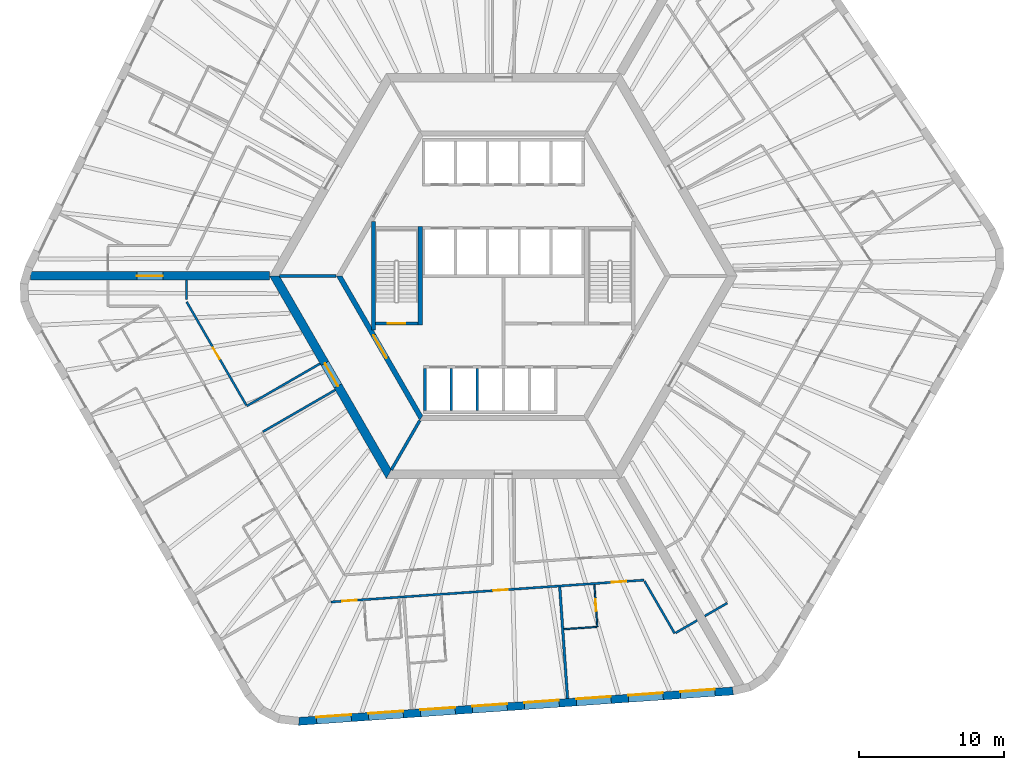
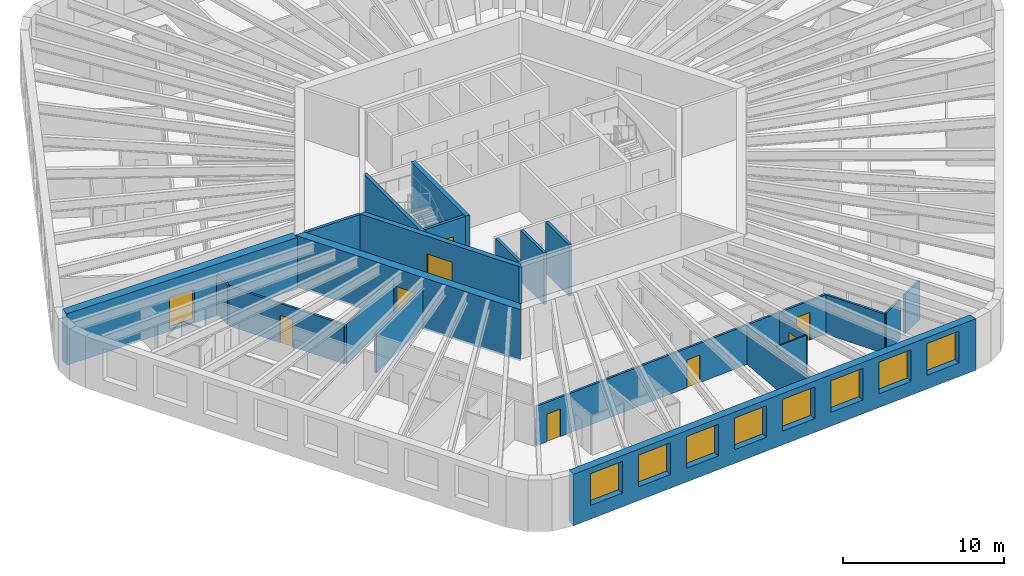
# One storey, part 4 of 12: 23 walls, 9 doors, 8 windows, 17 openings.
"""IFC4 building model written with IfcOpenShell, lengths in metres."""

from ifc_helpers import new_model, si_unit, direction, frame, frame_2d, origin, place, context, subcontext, project, spatial, polyline, rectangle, outline, extrude, material, layer, layer_set, type_object, element, fill, save


model = new_model("IFC4")

# Units and contexts
model_context = context("Model", 3, precision=1e-05, world=origin(), true_north=direction((0.0, 1.0)))
body_context = subcontext(model_context, "Body", "Model", "MODEL_VIEW")
ifc_project = project(units=[si_unit("LENGTHUNIT", "METRE"), si_unit("AREAUNIT", "SQUARE_METRE"), si_unit("VOLUMEUNIT", "CUBIC_METRE"), si_unit("PLANEANGLEUNIT", "RADIAN"), si_unit("MASSUNIT", "GRAM", prefix="KILO")], contexts=[model_context])

# Site, building, storey
site_placement = place(None, origin())
site = spatial("IfcSite", under=ifc_project, at=site_placement, CompositionType="ELEMENT")
building_placement = place(site_placement, origin())
building = spatial("IfcBuilding", under=site, at=building_placement, Name="Tarnside Tower", CompositionType="ELEMENT")
storey_placement = place(building_placement, frame((0.0, 0.0, 84.300048828125)))
storey = spatial("IfcBuildingStorey", under=building, at=storey_placement, Name="L18", CompositionType="ELEMENT", Elevation=84.300048828125)

# Wall, opening, door
ifc_material_1 = material(Name="Gypsum board partition on steel studs", Category="steel")
ifc_layer_1 = layer(ifc_material_1, 0.10009765625)
ifc_layer_set_1 = layer_set([ifc_layer_1], Name="Bathroom wall 100")
wall_type_1 = type_object("IfcWallType", Name="Bathroom wall 100", PredefinedType="PARTITIONING", material=ifc_layer_set_1)
wall_1_placement = place(storey_placement, frame((6.292724609375, -21.338134765625, 0.0), z_axis=(0.0, 0.0, 1.0), x_axis=(0.069781781132, -0.997562280272, 0.0)))
wall_1 = element("IfcWall", 1, at=wall_1_placement, inside=storey, type_object=wall_type_1, Name="Bathroom wall 05135", PredefinedType="PARTITIONING", context=body_context, shape_type="SweptSolid", body=[
    extrude(rectangle(XDim=2.9248046875, YDim=0.10009765625, at=frame_2d((1.46240234375, 0.0))), origin(), (0.0, 0.0, 1.0), 2.98779296875),
])
opening_1_placement = place(wall_1_placement, frame((1.02490234375, 0.0, 0.0)))
opening_1 = element("IfcOpeningElement", 2, at=opening_1_placement, cuts=wall_1, Name="Opening D-B1", PredefinedType="OPENING", context=body_context, shape_type="SweptSolid", body=[
    extrude(rectangle(XDim=0.800048828125, YDim=2.10009765625, at=frame_2d((0.39990234375, 1.050048828125))), frame((0.0, 0.06005859375, 0.0), z_axis=(0.0, -1.0, 0.0), x_axis=(1.0, 0.0, 0.0)), (0.0, 0.0, 1.0), 0.1201171875),
])
ifc_material_2 = material(Name="Timber door leaf", Category="wood")
door_type_1 = type_object("IfcDoorType", Name="Bathroom door 800", OperationType="NOTDEFINED", PredefinedType="DOOR", material=ifc_material_2)
door_1_placement = place(opening_1_placement, origin())
door_1 = element("IfcDoor", 3, at=door_1_placement, inside=storey, type_object=door_type_1, Name="Bathroom door 05029", OperationType="SINGLE_SWING_RIGHT", OverallHeight=2.10009765625, OverallWidth=0.800048828125, PredefinedType="DOOR", context=body_context, shape_type="SweptSolid", body=[
    extrude(rectangle(XDim=0.800048828125, YDim=2.10009765625, at=frame_2d((0.39990234375, 1.050048828125))), frame((0.0, 0.02490234375, 0.0), z_axis=(0.0, -1.0, 0.0), x_axis=(1.0, 0.0, 0.0)), (0.0, 0.0, 1.0), 0.050048828125),
])
fill(opening_1, door_1)

# Wall
wall_2_placement = place(storey_placement, frame((6.44677734375, -24.25927734375, 0.0), z_axis=(0.0, 0.0, 1.0), x_axis=(-0.997561825928, -0.069788275888, 0.0)))
element("IfcWall", 4, at=wall_2_placement, inside=storey, type_object=wall_type_1, Name="Bathroom wall 05136", PredefinedType="PARTITIONING", context=body_context, shape_type="SweptSolid", body=[
    extrude(rectangle(XDim=2.260009765625, YDim=0.10009765625, at=frame_2d((1.1298828125, 0.0))), origin(), (0.0, 0.0, 1.0), 2.98779296875),
])

# Wall, opening, door
ifc_material_3 = material(Name="Concrete C50/60", Category="concrete")
ifc_layer_2 = layer(ifc_material_3, 0.35009765625)
ifc_layer_set_2 = layer_set([ifc_layer_2], Name="Core block wall 350 C50/60")
wall_type_2 = type_object("IfcWallType", Name="Core block wall 350 C50/60", PredefinedType="SHEAR", material=ifc_layer_set_2)
wall_3_placement = place(storey_placement, frame((-11.344970703125, 0.0, -0.150146484375), z_axis=(0.0, 0.0, 1.0), x_axis=(0.499995046907, -0.866028263435, 0.0)))
wall_3 = element("IfcWall", 5, at=wall_3_placement, inside=storey, type_object=wall_type_2, Name="L18 core block wall face 3", PredefinedType="SHEAR", context=body_context, shape_type="SweptSolid", body=[
    extrude(outline(polyline([(-0.10107421875, -0.175048828125), (11.44580078125, -0.175048828125), (11.24365234375, 0.175048828125), (0.10107421875, 0.175048828125), (-0.10107421875, -0.175048828125)])), origin(), (0.0, 0.0, 1.0), 3.900146484375),
])
opening_2_placement = place(wall_3_placement, frame((4.74365234375, 0.0, 0.14990234375)))
opening_2 = element("IfcOpeningElement", 6, at=opening_2_placement, cuts=wall_3, Name="Opening CD-FFL", PredefinedType="OPENING", context=body_context, shape_type="SweptSolid", body=[
    extrude(rectangle(XDim=1.800048828125, YDim=2.39990234375, at=frame_2d((0.89990234375, 1.199951171875))), frame((0.0, 0.18505859375, 0.0), z_axis=(0.0, -1.0, 0.0), x_axis=(1.0, 0.0, 0.0)), (0.0, 0.0, 1.0), 0.3701171875),
])
ifc_material_4 = material(Name="Steel fire door", Category="steel")
door_type_2 = type_object("IfcDoorType", Name="Firefighting lobby double door FD60S 1800x2400", OperationType="NOTDEFINED", PredefinedType="DOOR", material=ifc_material_4)
door_2_placement = place(opening_2_placement, origin())
door_2 = element("IfcDoor", 7, at=door_2_placement, inside=storey, type_object=door_type_2, Name="L18 lobby block door P3", OperationType="DOUBLE_DOOR_SINGLE_SWING", OverallHeight=2.39990234375, OverallWidth=1.800048828125, PredefinedType="DOOR", context=body_context, shape_type="SweptSolid", body=[
    extrude(rectangle(XDim=1.800048828125, YDim=2.39990234375, at=frame_2d((0.89990234375, 1.199951171875))), frame((0.0, 0.02490234375, 0.0), z_axis=(0.0, -1.0, 0.0), x_axis=(1.0, 0.0, 0.0)), (0.0, 0.0, 1.0), 0.050048828125),
])
fill(opening_2, door_2)

ifc_material_5 = material(Name="Concrete C80/95", Category="concrete")
ifc_layer_3 = layer(ifc_material_5, 0.60009765625)
ifc_layer_set_3 = layer_set([ifc_layer_3], Name="Core wall Z1 600 C80/95")
wall_type_3 = type_object("IfcWallType", Name="Core wall Z1 600 C80/95", PredefinedType="SHEAR", material=ifc_layer_set_3)
wall_4_placement = place(storey_placement, frame((-15.8193359375, 0.0, -0.150146484375), z_axis=(0.0, 0.0, 1.0), x_axis=(0.499999880136, -0.866025472988, 0.0)))
wall_4 = element("IfcWall", 8, at=wall_4_placement, inside=storey, type_object=wall_type_3, Name="L18 core wall face 3", PredefinedType="SHEAR", context=body_context, shape_type="SweptSolid", body=[
    extrude(outline(polyline([(-0.17333984375, -0.300048828125), (15.99267578125, -0.300048828125), (15.64599609375, 0.300048828125), (0.17333984375, 0.300048828125), (-0.17333984375, -0.300048828125)])), origin(), (0.0, 0.0, 1.0), 3.900146484375),
])
opening_3_placement = place(wall_4_placement, frame((6.980712890625, 0.0, 0.14990234375)))
opening_3 = element("IfcOpeningElement", 9, at=opening_3_placement, cuts=wall_4, Name="Opening CD-FFL", PredefinedType="OPENING", context=body_context, shape_type="SweptSolid", body=[
    extrude(rectangle(XDim=1.800048828125, YDim=2.39990234375, at=frame_2d((0.89990234375, 1.199951171875))), frame((0.0, 0.31005859375, 0.0), z_axis=(0.0, -1.0, 0.0), x_axis=(1.0, 0.0, 0.0)), (0.0, 0.0, 1.0), 0.6201171875),
])
door_3_placement = place(opening_3_placement, origin())
door_3 = element("IfcDoor", 10, at=door_3_placement, inside=storey, type_object=door_type_2, Name="L18 core door P3", OperationType="DOUBLE_DOOR_SINGLE_SWING", OverallHeight=2.39990234375, OverallWidth=1.800048828125, PredefinedType="DOOR", context=body_context, shape_type="SweptSolid", body=[
    extrude(rectangle(XDim=1.800048828125, YDim=2.39990234375, at=frame_2d((0.89990234375, 1.199951171875))), frame((0.0, 0.02490234375, 0.0), z_axis=(0.0, -1.0, 0.0), x_axis=(1.0, 0.0, 0.0)), (0.0, 0.0, 1.0), 0.050048828125),
])
fill(opening_3, door_3)

wall_5_placement = place(storey_placement, frame((-16.165771484375, 0.0, -0.150146484375), z_axis=(0.0, 0.0, 1.0), x_axis=(-1.0, 0.0, 0.0)))
wall_5 = element("IfcWall", 11, at=wall_5_placement, inside=storey, type_object=wall_type_3, Name="L18 spine wall 2", PredefinedType="SHEAR", context=body_context, shape_type="SweptSolid", body=[
    extrude(rectangle(XDim=16.509033203125, YDim=0.60009765625, at=frame_2d((8.25439453125, 0.0))), origin(), (0.0, 0.0, 1.0), 3.900146484375),
])
opening_4_placement = place(wall_5_placement, frame((7.3544921875, 0.0, 0.14990234375)))
opening_4 = element("IfcOpeningElement", 12, at=opening_4_placement, cuts=wall_5, Name="Opening CD-SPN", PredefinedType="OPENING", context=body_context, shape_type="SweptSolid", body=[
    extrude(rectangle(XDim=1.800048828125, YDim=2.39990234375, at=frame_2d((0.89990234375, 1.199951171875))), frame((0.0, 0.31005859375, 0.0), z_axis=(0.0, -1.0, 0.0), x_axis=(1.0, 0.0, 0.0)), (0.0, 0.0, 1.0), 0.6201171875),
])
door_type_3 = type_object("IfcDoorType", Name="Spine passage double door FD60 1800x2400", OperationType="NOTDEFINED", PredefinedType="DOOR", material=ifc_material_4)
door_4_placement = place(opening_4_placement, origin())
door_4 = element("IfcDoor", 13, at=door_4_placement, inside=storey, type_object=door_type_3, Name="L18 spine passage door 2", OperationType="DOUBLE_DOOR_SINGLE_SWING", OverallHeight=2.39990234375, OverallWidth=1.800048828125, PredefinedType="DOOR", context=body_context, shape_type="SweptSolid", body=[
    extrude(rectangle(XDim=1.800048828125, YDim=2.39990234375, at=frame_2d((0.89990234375, 1.199951171875))), frame((0.0, 0.02490234375, 0.0), z_axis=(0.0, -1.0, 0.0), x_axis=(1.0, 0.0, 0.0)), (0.0, 0.0, 1.0), 0.050048828125),
])
fill(opening_4, door_4)

# Wall, openings, doors
ifc_layer_4 = layer(ifc_material_1, 0.14990234375)
ifc_layer_set_4 = layer_set([ifc_layer_4], Name="Corridor wall 150 EI 60")
wall_type_4 = type_object("IfcWallType", Name="Corridor wall 150 EI 60", PredefinedType="PARTITIONING", material=ifc_layer_set_4)
wall_6_placement = place(storey_placement, frame((-11.902099609375, -22.53515625, 0.0), z_axis=(0.0, 0.0, 1.0), x_axis=(0.997564081796, 0.069756022752, 0.0)))
wall_6 = element("IfcWall", 14, at=wall_6_placement, inside=storey, type_object=wall_type_4, Name="Corridor wall 05036", PredefinedType="PARTITIONING", context=body_context, shape_type="SweptSolid", body=[
    extrude(rectangle(XDim=21.66796875, YDim=0.14990234375, at=frame_2d((10.833984375, 0.0))), origin(), (0.0, 0.0, 1.0), 2.98779296875),
])
opening_5_placement = place(wall_6_placement, frame((0.775146484375, 0.0, 0.0)))
opening_5 = element("IfcOpeningElement", 15, at=opening_5_placement, cuts=wall_6, Name="Opening D-E1", PredefinedType="OPENING", context=body_context, shape_type="SweptSolid", body=[
    extrude(rectangle(XDim=1.0, YDim=2.10009765625, at=frame_2d((0.5, 1.050048828125))), frame((0.0, 0.0849609375, 0.0), z_axis=(0.0, -1.0, 0.0), x_axis=(1.0, 0.0, 0.0)), (0.0, 0.0, 1.0), 0.169921875),
])
opening_6_placement = place(wall_6_placement, frame((11.23388671875, 0.0, 0.0)))
opening_6 = element("IfcOpeningElement", 16, at=opening_6_placement, cuts=wall_6, Name="Opening D-E1", PredefinedType="OPENING", context=body_context, shape_type="SweptSolid", body=[
    extrude(rectangle(XDim=1.0, YDim=2.10009765625, at=frame_2d((0.5, 1.050048828125))), frame((0.0, 0.0849609375, 0.0), z_axis=(0.0, -1.0, 0.0), x_axis=(1.0, 0.0, 0.0)), (0.0, 0.0, 1.0), 0.169921875),
])
opening_7_placement = place(wall_6_placement, frame((19.450927734375, 0.0, 0.0)))
opening_7 = element("IfcOpeningElement", 17, at=opening_7_placement, cuts=wall_6, Name="Opening D-E1", PredefinedType="OPENING", context=body_context, shape_type="SweptSolid", body=[
    extrude(rectangle(XDim=1.0, YDim=2.10009765625, at=frame_2d((0.5, 1.050048828125))), frame((0.0, 0.0849609375, 0.0), z_axis=(0.0, -1.0, 0.0), x_axis=(1.0, 0.0, 0.0)), (0.0, 0.0, 1.0), 0.169921875),
])
door_type_4 = type_object("IfcDoorType", Name="Unit entrance door 1000 FD30S", OperationType="NOTDEFINED", PredefinedType="DOOR", material=ifc_material_2)
door_5_placement = place(opening_5_placement, origin())
door_5 = element("IfcDoor", 18, at=door_5_placement, inside=storey, type_object=door_type_4, Name="Unit door 05023", OperationType="SINGLE_SWING_RIGHT", OverallHeight=2.10009765625, OverallWidth=1.0, PredefinedType="DOOR", context=body_context, shape_type="SweptSolid", body=[
    extrude(rectangle(XDim=1.0, YDim=2.10009765625, at=frame_2d((0.5, 1.050048828125))), frame((0.0, 0.02490234375, 0.0), z_axis=(0.0, -1.0, 0.0), x_axis=(1.0, 0.0, 0.0)), (0.0, 0.0, 1.0), 0.050048828125),
])
fill(opening_5, door_5)
door_6_placement = place(opening_6_placement, origin())
door_6 = element("IfcDoor", 19, at=door_6_placement, inside=storey, type_object=door_type_4, Name="Unit door 05025", OperationType="SINGLE_SWING_LEFT", OverallHeight=2.10009765625, OverallWidth=1.0, PredefinedType="DOOR", context=body_context, shape_type="SweptSolid", body=[
    extrude(rectangle(XDim=1.0, YDim=2.10009765625, at=frame_2d((0.5, 1.050048828125))), frame((0.0, 0.02490234375, 0.0), z_axis=(0.0, -1.0, 0.0), x_axis=(1.0, 0.0, 0.0)), (0.0, 0.0, 1.0), 0.050048828125),
])
fill(opening_6, door_6)
door_7_placement = place(opening_7_placement, origin())
door_7 = element("IfcDoor", 20, at=door_7_placement, inside=storey, type_object=door_type_4, Name="Unit door 05028", OperationType="SINGLE_SWING_LEFT", OverallHeight=2.10009765625, OverallWidth=1.0, PredefinedType="DOOR", context=body_context, shape_type="SweptSolid", body=[
    extrude(rectangle(XDim=1.0, YDim=2.10009765625, at=frame_2d((0.5, 1.050048828125))), frame((0.0, 0.02490234375, 0.0), z_axis=(0.0, -1.0, 0.0), x_axis=(1.0, 0.0, 0.0)), (0.0, 0.0, 1.0), 0.050048828125),
])
fill(opening_7, door_7)

# Walls
wall_7_placement = place(storey_placement, frame((9.7548828125, -21.095947265625, 0.0), z_axis=(0.0, 0.0, 1.0), x_axis=(0.499995902753, -0.866027769318, 0.0)))
element("IfcWall", 21, at=wall_7_placement, inside=storey, type_object=wall_type_4, Name="Corridor wall 05042", PredefinedType="PARTITIONING", context=body_context, shape_type="SweptSolid", body=[
    extrude(rectangle(XDim=4.17333984375, YDim=0.14990234375, at=frame_2d((2.086669921875, 0.0))), origin(), (0.0, 0.0, 1.0), 2.98779296875),
])
wall_8_placement = place(storey_placement, frame((11.906494140625, -24.672607421875, 0.0), z_axis=(0.0, 0.0, 1.0), x_axis=(0.866013532718, 0.500020560727, 0.0)))
element("IfcWall", 22, at=wall_8_placement, inside=storey, type_object=wall_type_4, Name="Corridor wall 05043", PredefinedType="PARTITIONING", context=body_context, shape_type="SweptSolid", body=[
    extrude(rectangle(XDim=1.72509765625, YDim=0.14990234375, at=frame_2d((0.862548828125, 0.0))), origin(), (0.0, 0.0, 1.0), 2.98779296875),
])
wall_9_placement = place(storey_placement, frame((-12.663818359375, -6.065673828125, 0.0), z_axis=(0.0, 0.0, 1.0), x_axis=(-0.866018092707, -0.500012662943, 0.0)))
element("IfcWall", 23, at=wall_9_placement, inside=storey, type_object=wall_type_4, Name="Corridor wall 05045", PredefinedType="PARTITIONING", context=body_context, shape_type="SweptSolid", body=[
    extrude(rectangle(XDim=5.849853515625, YDim=0.14990234375, at=frame_2d((2.9248046875, 0.0))), origin(), (0.0, 0.0, 1.0), 2.98779296875),
])

# Wall, opening, door
wall_10_placement = place(storey_placement, frame((-17.767578125, -8.92578125, 0.0), z_axis=(0.0, 0.0, 1.0), x_axis=(-0.499997033681, 0.866027116383, 0.0)))
wall_10 = element("IfcWall", 24, at=wall_10_placement, inside=storey, type_object=wall_type_4, Name="Corridor wall 05046", PredefinedType="PARTITIONING", context=body_context, shape_type="SweptSolid", body=[
    extrude(rectangle(XDim=8.2353515625, YDim=0.14990234375, at=frame_2d((4.11767578125, 0.0))), origin(), (0.0, 0.0, 1.0), 2.98779296875),
])
opening_8_placement = place(wall_10_placement, frame((3.667724609375, 0.0, 0.0)))
opening_8 = element("IfcOpeningElement", 25, at=opening_8_placement, cuts=wall_10, Name="Opening D-S1", PredefinedType="OPENING", context=body_context, shape_type="SweptSolid", body=[
    extrude(rectangle(XDim=0.89990234375, YDim=2.10009765625, at=frame_2d((0.449951171875, 1.050048828125))), frame((0.0, 0.0849609375, 0.0), z_axis=(0.0, -1.0, 0.0), x_axis=(1.0, 0.0, 0.0)), (0.0, 0.0, 1.0), 0.169921875),
])
door_type_5 = type_object("IfcDoorType", Name="Service room door 900 FD30S", OperationType="NOTDEFINED", PredefinedType="DOOR", material=ifc_material_2)
door_8_placement = place(opening_8_placement, origin())
door_8 = element("IfcDoor", 26, at=door_8_placement, inside=storey, type_object=door_type_5, Name="Service door 05045", OperationType="SINGLE_SWING_RIGHT", OverallHeight=2.10009765625, OverallWidth=0.89990234375, PredefinedType="DOOR", context=body_context, shape_type="SweptSolid", body=[
    extrude(rectangle(XDim=0.89990234375, YDim=2.10009765625, at=frame_2d((0.449951171875, 1.050048828125))), frame((0.0, 0.02490234375, 0.0), z_axis=(0.0, -1.0, 0.0), x_axis=(1.0, 0.0, 0.0)), (0.0, 0.0, 1.0), 0.050048828125),
])
fill(opening_8, door_8)

# Walls
wall_11_placement = place(storey_placement, frame((-21.88525390625, -1.643798828125, 0.0), z_axis=(0.0, 0.0, 1.0), x_axis=(0.0, 1.0, 0.0)))
element("IfcWall", 27, at=wall_11_placement, inside=storey, type_object=wall_type_4, Name="Corridor wall 05047", PredefinedType="PARTITIONING", context=body_context, shape_type="SweptSolid", body=[
    extrude(rectangle(XDim=1.34375, YDim=0.14990234375, at=frame_2d((0.671875, 0.0))), origin(), (0.0, 0.0, 1.0), 2.98779296875),
])
wall_12_placement = place(storey_placement, frame((-16.614990234375, -10.771728515625, 0.0), z_axis=(0.0, 0.0, 1.0), x_axis=(0.866025774745, 0.499999357477, 0.0)))
element("IfcWall", 28, at=wall_12_placement, inside=storey, type_object=wall_type_4, Name="Corridor wall 05052", PredefinedType="PARTITIONING", context=body_context, shape_type="SweptSolid", body=[
    extrude(rectangle(XDim=5.77490234375, YDim=0.14990234375, at=frame_2d((2.887451171875, 0.0))), origin(), (0.0, 0.0, 1.0), 2.98779296875),
])
wall_13_placement = place(storey_placement, frame((13.919921875, -23.510009765625, 0.0), z_axis=(0.0, 0.0, 1.0), x_axis=(0.866047807691, 0.499961193289, 0.0)))
element("IfcWall", 29, at=wall_13_placement, inside=storey, type_object=wall_type_4, Name="Corridor wall 05055", PredefinedType="PARTITIONING", context=body_context, shape_type="SweptSolid", body=[
    extrude(rectangle(XDim=1.800048828125, YDim=0.14990234375, at=frame_2d((0.89990234375, 0.0))), origin(), (0.0, 0.0, 1.0), 2.98779296875),
])
ifc_layer_5 = layer(ifc_material_1, 0.179931640625)
ifc_layer_set_5 = layer_set([ifc_layer_5], Name="Demising wall 180 EI 60")
wall_type_5 = type_object("IfcWallType", Name="Demising wall 180 EI 60", PredefinedType="PARTITIONING", material=ifc_layer_set_5)
wall_14_placement = place(storey_placement, frame((4.4375, -29.211669921875, 0.0), z_axis=(0.0, 0.0, 1.0), x_axis=(-0.069780381152, 0.997562378203, 0.0)))
element("IfcWall", 30, at=wall_14_placement, inside=storey, type_object=wall_type_5, Name="Demising wall 05132", PredefinedType="PARTITIONING", context=body_context, shape_type="SweptSolid", body=[
    extrude(rectangle(XDim=7.72509765625, YDim=0.179931640625, at=frame_2d((3.862548828125, 0.0))), origin(), (0.0, 0.0, 1.0), 2.98779296875),
])
ifc_material_6 = material(Name="Concrete C40/50", Category="concrete")
ifc_layer_6 = layer(ifc_material_6, 0.199951171875)
ifc_layer_set_6 = layer_set([ifc_layer_6], Name="Lift shaft wall 200 C40/50")
wall_type_6 = type_object("IfcWallType", Name="Lift shaft wall 200 C40/50", PredefinedType="SHEAR", material=ifc_layer_set_6)
for number, where, z_axis, x_axis, name in (
    (31, (-5.39990234375, -9.300048828125, -0.25), (0.0, 0.0, 1.0), (0.0, 1.0, 0.0), "L18 lift shaft partition R41"),
    (32, (-3.60009765625, -9.300048828125, -0.25), (0.0, 0.0, 1.0), (0.0, 1.0, 0.0), "L18 lift shaft partition R42"),
    (33, (-1.800048828125, -9.300048828125, -0.25), (0.0, 0.0, 1.0), (0.0, 1.0, 0.0), "L18 lift shaft partition R43"),
):
    element("IfcWall", number, at=place(storey_placement, frame(where, z_axis=z_axis, x_axis=x_axis)), inside=storey, type_object=wall_type_6, Name=name, PredefinedType="SHEAR", context=body_context, shape_type="SweptSolid", body=[
        extrude(rectangle(XDim=2.900146484375, YDim=0.199951171875, at=frame_2d((1.4501953125, 0.0))), origin(), (0.0, 0.0, 1.0), 3.89990234375),
    ])
wall_15_placement = place(storey_placement, frame((-11.547119140625, 0.0, -0.150146484375), z_axis=(0.0, 0.0, 1.0), x_axis=(-1.0, 0.0, 0.0)))
element("IfcWall", 34, at=wall_15_placement, inside=storey, type_object=wall_type_6, Name="L18 core partition AR180", PredefinedType="SHEAR", context=body_context, shape_type="SweptSolid", body=[
    extrude(rectangle(XDim=3.92578125, YDim=0.199951171875, at=frame_2d((1.962890625, 0.0))), origin(), (0.0, 0.0, 1.0), 3.900146484375),
])
wall_16_placement = place(storey_placement, frame((-5.7734375, -10.0, -0.150146484375), z_axis=(0.0, 0.0, 1.0), x_axis=(-0.500038251005, -0.86600331843, 0.0)))
element("IfcWall", 35, at=wall_16_placement, inside=storey, type_object=wall_type_6, Name="L18 core partition AR240", PredefinedType="SHEAR", context=body_context, shape_type="SweptSolid", body=[
    extrude(rectangle(XDim=3.926025390625, YDim=0.199951171875, at=frame_2d((1.962890625, 0.0))), origin(), (0.0, 0.0, 1.0), 3.900146484375),
])

# Wall, opening, door
wall_17_placement = place(storey_placement, frame((-8.85009765625, -3.300048828125, -0.25), z_axis=(0.0, 0.0, 1.0), x_axis=(1.0, 0.0, 0.0)))
wall_17 = element("IfcWall", 36, at=wall_17_placement, inside=storey, type_object=wall_type_6, Name="L18 stair 2 enclosure cap wall s", PredefinedType="SHEAR", context=body_context, shape_type="SweptSolid", body=[
    extrude(rectangle(XDim=2.9501953125, YDim=0.199951171875, at=frame_2d((1.47509765625, 0.0))), origin(), (0.0, 0.0, 1.0), 3.89990234375),
])
opening_9_placement = place(wall_17_placement, frame((0.875, 0.0, 0.25)))
opening_9 = element("IfcOpeningElement", 37, at=opening_9_placement, cuts=wall_17, Name="Opening CD-STR", PredefinedType="OPENING", context=body_context, shape_type="SweptSolid", body=[
    extrude(rectangle(XDim=1.199951171875, YDim=2.39990234375, at=frame_2d((0.60009765625, 1.199951171875))), frame((0.0, 0.10986328125, 0.0), z_axis=(0.0, -1.0, 0.0), x_axis=(1.0, 0.0, 0.0)), (0.0, 0.0, 1.0), 0.219970703125),
])
door_type_6 = type_object("IfcDoorType", Name="Stair door FD60S 1200x2400", OperationType="NOTDEFINED", PredefinedType="DOOR", material=ifc_material_4)
door_9_placement = place(opening_9_placement, origin())
door_9 = element("IfcDoor", 38, at=door_9_placement, inside=storey, type_object=door_type_6, Name="L18 stair 2 door", OperationType="SINGLE_SWING_LEFT", OverallHeight=2.39990234375, OverallWidth=1.199951171875, PredefinedType="DOOR", context=body_context, shape_type="SweptSolid", body=[
    extrude(rectangle(XDim=1.199951171875, YDim=2.39990234375, at=frame_2d((0.60009765625, 1.199951171875))), frame((0.0, 0.02490234375, 0.0), z_axis=(0.0, -1.0, 0.0), x_axis=(1.0, 0.0, 0.0)), (0.0, 0.0, 1.0), 0.050048828125),
])
fill(opening_9, door_9)

# Walls
ifc_layer_7 = layer(ifc_material_6, 0.25)
ifc_layer_set_7 = layer_set([ifc_layer_7], Name="Stair enclosure wall 250 C40/50")
wall_type_7 = type_object("IfcWallType", Name="Stair enclosure wall 250 C40/50", PredefinedType="SHEAR", material=ifc_layer_set_7)
wall_18_placement = place(storey_placement, frame((-8.97509765625, -3.7548828125, -0.25), z_axis=(0.0, 0.0, 1.0), x_axis=(0.0, 1.0, 0.0)))
element("IfcWall", 39, at=wall_18_placement, inside=storey, type_object=wall_type_7, Name="L18 stair 2 enclosure wall outer", PredefinedType="SHEAR", context=body_context, shape_type="SweptSolid", body=[
    extrude(rectangle(XDim=7.509765625, YDim=0.25, at=frame_2d((3.7548828125, 0.0))), origin(), (0.0, 0.0, 1.0), 3.89990234375),
])
ifc_layer_8 = layer(ifc_material_6, 0.300048828125)
ifc_layer_set_8 = layer_set([ifc_layer_8], Name="Stair enclosure wall 300 C40/50")
wall_type_8 = type_object("IfcWallType", Name="Stair enclosure wall 300 C40/50", PredefinedType="SHEAR", material=ifc_layer_set_8)
wall_19_placement = place(storey_placement, frame((-5.75, -3.39990234375, -0.25), z_axis=(0.0, 0.0, 1.0), x_axis=(0.0, 1.0, 0.0)))
element("IfcWall", 40, at=wall_19_placement, inside=storey, type_object=wall_type_8, Name="L18 stair 2 enclosure wall inner", PredefinedType="SHEAR", context=body_context, shape_type="SweptSolid", body=[
    extrude(rectangle(XDim=6.7998046875, YDim=0.300048828125, at=frame_2d((3.39990234375, 0.0))), origin(), (0.0, 0.0, 1.0), 3.89990234375),
])

# Wall, openings, windows
ifc_material_7 = material(Name="Facing brick", Category="masonry")
ifc_layer_9 = layer(ifc_material_7, 0.10205078125)
ifc_material_8 = material(Name="Concrete C60/75 precast", Category="concrete")
ifc_layer_10 = layer(ifc_material_8, 0.347900390625)
ifc_material_9 = material(Name="Mineral wool insulation")
ifc_layer_11 = layer(ifc_material_9, 0.10009765625)
ifc_layer_set_9 = layer_set([ifc_layer_9, ifc_layer_10, ifc_layer_11], Name="Tube wall 550 brick faced")
wall_type_9 = type_object("IfcWallType", Name="Tube wall 550 brick faced", PredefinedType="SOLIDWALL", material=ifc_layer_set_9)
wall_20_placement = place(storey_placement, frame((-14.133544921875, -30.785888671875, -0.150146484375), z_axis=(0.0, 0.0, 1.0), x_axis=(0.997564037441, 0.069756657061, 0.0)))
wall_20 = element("IfcWall", 41, at=wall_20_placement, inside=storey, type_object=wall_type_9, Name="Tube wall L18 F4 flush 12", PredefinedType="SOLIDWALL", context=body_context, shape_type="SweptSolid", body=[
    extrude(outline(polyline([(-0.025634765625, -0.27490234375), (30.093505859375, -0.27490234375), (30.048583984375, 0.27490234375), (0.025634765625, 0.27490234375), (-0.025634765625, -0.27490234375)])), origin(), (0.0, 0.0, 1.0), 3.900146484375),
])
opening_10_placement = place(wall_20_placement, frame((1.235595703125, 0.0, 1.050048828125)))
opening_10 = element("IfcOpeningElement", 42, at=opening_10_placement, cuts=wall_20, Name="Opening WH", PredefinedType="OPENING", context=body_context, shape_type="SweptSolid", body=[
    extrude(rectangle(XDim=2.39990234375, YDim=2.39990234375, at=frame_2d((1.199951171875, 1.199951171875))), frame((0.0, 0.28515625, 0.0), z_axis=(0.0, -1.0, 0.0), x_axis=(1.0, 0.0, 0.0)), (0.0, 0.0, 1.0), 0.570068359375),
])
opening_11_placement = place(wall_20_placement, frame((4.83544921875, 0.0, 1.050048828125)))
opening_11 = element("IfcOpeningElement", 43, at=opening_11_placement, cuts=wall_20, Name="Opening WH", PredefinedType="OPENING", context=body_context, shape_type="SweptSolid", body=[
    extrude(rectangle(XDim=2.39990234375, YDim=2.39990234375, at=frame_2d((1.199951171875, 1.199951171875))), frame((0.0, 0.28515625, 0.0), z_axis=(0.0, -1.0, 0.0), x_axis=(1.0, 0.0, 0.0)), (0.0, 0.0, 1.0), 0.570068359375),
])
opening_12_placement = place(wall_20_placement, frame((8.435546875, 0.0, 1.050048828125)))
opening_12 = element("IfcOpeningElement", 44, at=opening_12_placement, cuts=wall_20, Name="Opening WH", PredefinedType="OPENING", context=body_context, shape_type="SweptSolid", body=[
    extrude(rectangle(XDim=2.39990234375, YDim=2.39990234375, at=frame_2d((1.199951171875, 1.199951171875))), frame((0.0, 0.28515625, 0.0), z_axis=(0.0, -1.0, 0.0), x_axis=(1.0, 0.0, 0.0)), (0.0, 0.0, 1.0), 0.570068359375),
])
opening_13_placement = place(wall_20_placement, frame((12.035400390625, 0.0, 1.050048828125)))
opening_13 = element("IfcOpeningElement", 45, at=opening_13_placement, cuts=wall_20, Name="Opening WH", PredefinedType="OPENING", context=body_context, shape_type="SweptSolid", body=[
    extrude(rectangle(XDim=2.39990234375, YDim=2.39990234375, at=frame_2d((1.199951171875, 1.199951171875))), frame((0.0, 0.28515625, 0.0), z_axis=(0.0, -1.0, 0.0), x_axis=(1.0, 0.0, 0.0)), (0.0, 0.0, 1.0), 0.570068359375),
])
opening_14_placement = place(wall_20_placement, frame((15.635498046875, 0.0, 1.050048828125)))
opening_14 = element("IfcOpeningElement", 46, at=opening_14_placement, cuts=wall_20, Name="Opening WH", PredefinedType="OPENING", context=body_context, shape_type="SweptSolid", body=[
    extrude(rectangle(XDim=2.39990234375, YDim=2.39990234375, at=frame_2d((1.199951171875, 1.199951171875))), frame((0.0, 0.28515625, 0.0), z_axis=(0.0, -1.0, 0.0), x_axis=(1.0, 0.0, 0.0)), (0.0, 0.0, 1.0), 0.570068359375),
])
opening_15_placement = place(wall_20_placement, frame((19.235595703125, 0.0, 1.050048828125)))
opening_15 = element("IfcOpeningElement", 47, at=opening_15_placement, cuts=wall_20, Name="Opening WH", PredefinedType="OPENING", context=body_context, shape_type="SweptSolid", body=[
    extrude(rectangle(XDim=2.39990234375, YDim=2.39990234375, at=frame_2d((1.199951171875, 1.199951171875))), frame((0.0, 0.28515625, 0.0), z_axis=(0.0, -1.0, 0.0), x_axis=(1.0, 0.0, 0.0)), (0.0, 0.0, 1.0), 0.570068359375),
])
opening_16_placement = place(wall_20_placement, frame((22.83544921875, 0.0, 1.050048828125)))
opening_16 = element("IfcOpeningElement", 48, at=opening_16_placement, cuts=wall_20, Name="Opening WH", PredefinedType="OPENING", context=body_context, shape_type="SweptSolid", body=[
    extrude(rectangle(XDim=2.39990234375, YDim=2.39990234375, at=frame_2d((1.199951171875, 1.199951171875))), frame((0.0, 0.28515625, 0.0), z_axis=(0.0, -1.0, 0.0), x_axis=(1.0, 0.0, 0.0)), (0.0, 0.0, 1.0), 0.570068359375),
])
opening_17_placement = place(wall_20_placement, frame((26.435546875, 0.0, 1.050048828125)))
opening_17 = element("IfcOpeningElement", 49, at=opening_17_placement, cuts=wall_20, Name="Opening WH", PredefinedType="OPENING", context=body_context, shape_type="SweptSolid", body=[
    extrude(rectangle(XDim=2.39990234375, YDim=2.39990234375, at=frame_2d((1.199951171875, 1.199951171875))), frame((0.0, 0.28515625, 0.0), z_axis=(0.0, -1.0, 0.0), x_axis=(1.0, 0.0, 0.0)), (0.0, 0.0, 1.0), 0.570068359375),
])
ifc_material_10 = material(Name="Aluminium-framed double glazing", Category="aluminium")
window_type = type_object("IfcWindowType", Name="Hotel window 2400 x 2400", PartitioningType="DOUBLE_PANEL_VERTICAL", PredefinedType="WINDOW", material=ifc_material_10)
window_1_placement = place(opening_10_placement, frame((0.0, 0.205078125, 0.0)))
window_1 = element("IfcWindow", 50, at=window_1_placement, inside=storey, type_object=window_type, Name="E.WN.L18.F4.00", OverallHeight=2.39990234375, OverallWidth=2.39990234375, PartitioningType="DOUBLE_PANEL_VERTICAL", PredefinedType="WINDOW", context=body_context, shape_type="SweptSolid", body=[
    extrude(rectangle(XDim=2.39990234375, YDim=2.39990234375, at=frame_2d((1.199951171875, 1.199951171875))), frame((0.0, 0.030029296875, 0.0), z_axis=(0.0, -1.0, 0.0), x_axis=(1.0, 0.0, 0.0)), (0.0, 0.0, 1.0), 0.06005859375),
])
fill(opening_10, window_1)
window_2_placement = place(opening_11_placement, frame((0.0, 0.205078125, 0.0)))
window_2 = element("IfcWindow", 51, at=window_2_placement, inside=storey, type_object=window_type, Name="E.WN.L18.F4.01", OverallHeight=2.39990234375, OverallWidth=2.39990234375, PartitioningType="DOUBLE_PANEL_VERTICAL", PredefinedType="WINDOW", context=body_context, shape_type="SweptSolid", body=[
    extrude(rectangle(XDim=2.39990234375, YDim=2.39990234375, at=frame_2d((1.199951171875, 1.199951171875))), frame((0.0, 0.030029296875, 0.0), z_axis=(0.0, -1.0, 0.0), x_axis=(1.0, 0.0, 0.0)), (0.0, 0.0, 1.0), 0.06005859375),
])
fill(opening_11, window_2)
window_3_placement = place(opening_12_placement, frame((0.0, 0.205078125, 0.0)))
window_3 = element("IfcWindow", 52, at=window_3_placement, inside=storey, type_object=window_type, Name="E.WN.L18.F4.02", OverallHeight=2.39990234375, OverallWidth=2.39990234375, PartitioningType="DOUBLE_PANEL_VERTICAL", PredefinedType="WINDOW", context=body_context, shape_type="SweptSolid", body=[
    extrude(rectangle(XDim=2.39990234375, YDim=2.39990234375, at=frame_2d((1.199951171875, 1.199951171875))), frame((0.0, 0.030029296875, 0.0), z_axis=(0.0, -1.0, 0.0), x_axis=(1.0, 0.0, 0.0)), (0.0, 0.0, 1.0), 0.06005859375),
])
fill(opening_12, window_3)
window_4_placement = place(opening_13_placement, frame((0.0, 0.205078125, 0.0)))
window_4 = element("IfcWindow", 53, at=window_4_placement, inside=storey, type_object=window_type, Name="E.WN.L18.F4.03", OverallHeight=2.39990234375, OverallWidth=2.39990234375, PartitioningType="DOUBLE_PANEL_VERTICAL", PredefinedType="WINDOW", context=body_context, shape_type="SweptSolid", body=[
    extrude(rectangle(XDim=2.39990234375, YDim=2.39990234375, at=frame_2d((1.199951171875, 1.199951171875))), frame((0.0, 0.030029296875, 0.0), z_axis=(0.0, -1.0, 0.0), x_axis=(1.0, 0.0, 0.0)), (0.0, 0.0, 1.0), 0.06005859375),
])
fill(opening_13, window_4)
window_5_placement = place(opening_14_placement, frame((0.0, 0.205078125, 0.0)))
window_5 = element("IfcWindow", 54, at=window_5_placement, inside=storey, type_object=window_type, Name="E.WN.L18.F4.04", OverallHeight=2.39990234375, OverallWidth=2.39990234375, PartitioningType="DOUBLE_PANEL_VERTICAL", PredefinedType="WINDOW", context=body_context, shape_type="SweptSolid", body=[
    extrude(rectangle(XDim=2.39990234375, YDim=2.39990234375, at=frame_2d((1.199951171875, 1.199951171875))), frame((0.0, 0.030029296875, 0.0), z_axis=(0.0, -1.0, 0.0), x_axis=(1.0, 0.0, 0.0)), (0.0, 0.0, 1.0), 0.06005859375),
])
fill(opening_14, window_5)
window_6_placement = place(opening_15_placement, frame((0.0, 0.205078125, 0.0)))
window_6 = element("IfcWindow", 55, at=window_6_placement, inside=storey, type_object=window_type, Name="E.WN.L18.F4.05", OverallHeight=2.39990234375, OverallWidth=2.39990234375, PartitioningType="DOUBLE_PANEL_VERTICAL", PredefinedType="WINDOW", context=body_context, shape_type="SweptSolid", body=[
    extrude(rectangle(XDim=2.39990234375, YDim=2.39990234375, at=frame_2d((1.199951171875, 1.199951171875))), frame((0.0, 0.030029296875, 0.0), z_axis=(0.0, -1.0, 0.0), x_axis=(1.0, 0.0, 0.0)), (0.0, 0.0, 1.0), 0.06005859375),
])
fill(opening_15, window_6)
window_7_placement = place(opening_16_placement, frame((0.0, 0.205078125, 0.0)))
window_7 = element("IfcWindow", 56, at=window_7_placement, inside=storey, type_object=window_type, Name="E.WN.L18.F4.06", OverallHeight=2.39990234375, OverallWidth=2.39990234375, PartitioningType="DOUBLE_PANEL_VERTICAL", PredefinedType="WINDOW", context=body_context, shape_type="SweptSolid", body=[
    extrude(rectangle(XDim=2.39990234375, YDim=2.39990234375, at=frame_2d((1.199951171875, 1.199951171875))), frame((0.0, 0.030029296875, 0.0), z_axis=(0.0, -1.0, 0.0), x_axis=(1.0, 0.0, 0.0)), (0.0, 0.0, 1.0), 0.06005859375),
])
fill(opening_16, window_7)
window_8_placement = place(opening_17_placement, frame((0.0, 0.205078125, 0.0)))
window_8 = element("IfcWindow", 57, at=window_8_placement, inside=storey, type_object=window_type, Name="E.WN.L18.F4.07", OverallHeight=2.39990234375, OverallWidth=2.39990234375, PartitioningType="DOUBLE_PANEL_VERTICAL", PredefinedType="WINDOW", context=body_context, shape_type="SweptSolid", body=[
    extrude(rectangle(XDim=2.39990234375, YDim=2.39990234375, at=frame_2d((1.199951171875, 1.199951171875))), frame((0.0, 0.030029296875, 0.0), z_axis=(0.0, -1.0, 0.0), x_axis=(1.0, 0.0, 0.0)), (0.0, 0.0, 1.0), 0.06005859375),
])
fill(opening_17, window_8)

save(model, "model.ifc")
